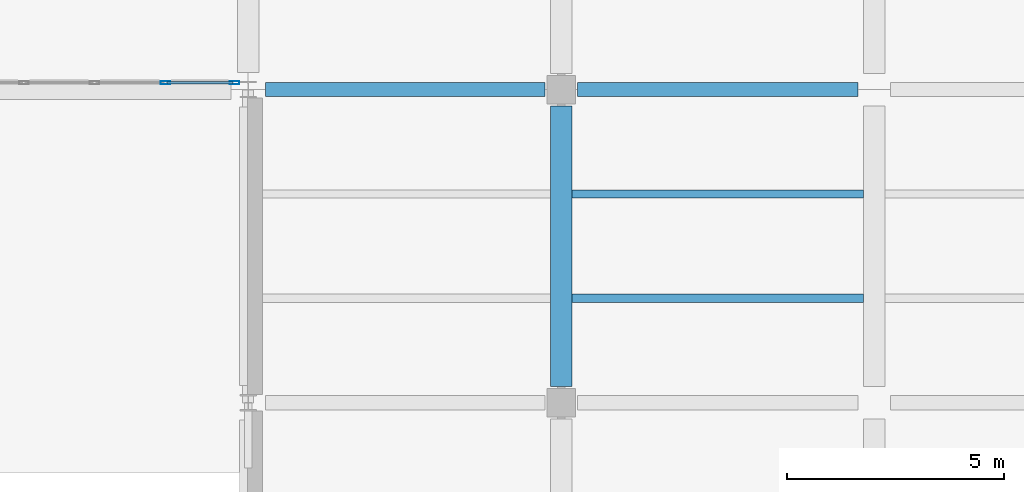
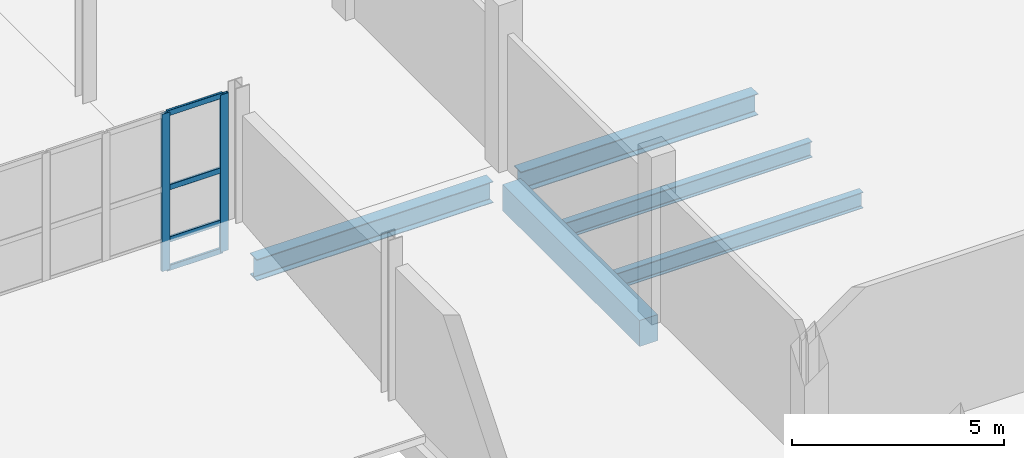
# One storey, part 32 of 127: 6 members, 5 beams, 1 element without a shape of its own.
"""IFC4 building model written with IfcOpenShell, lengths in metres."""

from ifc_helpers import new_model, si_unit, direction, frame, origin, origin_2d, place, context, subcontext, project, spatial, rectangle, hollow_rectangle, i_section, extrude, material, material_profile, profile_set, type_object, element, aggregate, save


model = new_model("IFC4")

# Units and contexts
model_context = context("Model", 3, precision=1e-05, world=origin(), true_north=direction((0.0, 1.0)))
body_context = subcontext(model_context, "Body", "Model", "MODEL_VIEW")
ifc_project = project(units=[si_unit("LENGTHUNIT", "METRE"), si_unit("AREAUNIT", "SQUARE_METRE"), si_unit("VOLUMEUNIT", "CUBIC_METRE"), si_unit("PLANEANGLEUNIT", "RADIAN"), si_unit("MASSUNIT", "GRAM", prefix="KILO")], contexts=[model_context])

# Site, building, storey
site_placement = place(None, origin())
site = spatial("IfcSite", under=ifc_project, at=site_placement, CompositionType="ELEMENT")
building_placement = place(site_placement, origin())
building = spatial("IfcBuilding", under=site, at=building_placement, Name="Kalmorath City Hall", CompositionType="ELEMENT")
storey_placement = place(building_placement, frame((0.0, 0.0, 5.39990234375)))
storey = spatial("IfcBuildingStorey", under=building, at=storey_placement, Name="L01", CompositionType="ELEMENT", Elevation=5.39990234375)

# Beam
ifc_material_1 = material(Name="Concrete C40/50", Category="concrete")
ifc_material_profile_1 = material_profile(ifc_material_1, rectangle(XDim=0.5, YDim=0.75, at=origin_2d()), Name="RC-BM-500X750")
ifc_profile_set_1 = profile_set([ifc_material_profile_1], Name="Concrete C40/50")
beam_type_1 = type_object("IfcBeamType", Name="Concrete floor beam 500x750", PredefinedType="BEAM", material=ifc_profile_set_1)
beam_1_placement = place(storey_placement, frame((122.39990234375, 14.77490234375, -0.698974609375), z_axis=(0.0, 1.0, 0.0), x_axis=(-1.0, 0.0, 0.0)))
element("IfcBeam", 1, at=beam_1_placement, inside=storey, type_object=beam_type_1, Name="L01 girder CB3 Y18/3-4", PredefinedType="BEAM", context=body_context, shape_type="SweptSolid", body=[
    extrude(rectangle(XDim=0.5, YDim=0.75, at=origin_2d()), origin(), (0.0, 0.0, 1.0), 6.4501953125),
])

# Curtain wall, members
ifc_material_2 = material(Name="Anodised aluminium and laminated glass", Category="aluminium")
curtain_wall_type = type_object("IfcCurtainWallType", Name="Unitised hurricane curtain wall 6508x4520 M1500", PredefinedType="NOTDEFINED", material=ifc_material_2)
curtain_wall_placement = place(storey_placement, origin())
curtain_wall = element("IfcCurtainWall", 2, at=curtain_wall_placement, inside=storey, type_object=curtain_wall_type, Name="L01 curtain wall CW-65X45M15 #67", PredefinedType="NOTDEFINED")
ifc_material_3 = material(Name="Anodised aluminium framing", Category="aluminium")
ifc_material_profile_2 = material_profile(ifc_material_3, hollow_rectangle(XDim=0.074951171875, YDim=0.219970703125, WallThickness=0.00390625, InnerFilletRadius=0.00390625, OuterFilletRadius=0.008056640625, at=origin_2d()), Name="ALU-MUL-220X75X4")
ifc_profile_set_2 = profile_set([ifc_material_profile_2], Name="Anodised aluminium framing")
member_type_1 = type_object("IfcMemberType", Name="Curtain-wall primary mullion 220x75", PredefinedType="MULLION", material=ifc_profile_set_2)
member_1_placement = place(storey_placement, frame((114.885498046875, 21.760009765625, 0.0), z_axis=(0.0, 0.0, 1.0), x_axis=(0.0, -1.0, 0.0)))
member_1 = element("IfcMember", 3, at=member_1_placement, type_object=member_type_1, Name="CW-65X45M15 mullion 1", PredefinedType="MULLION", context=body_context, shape_type="SweptSolid", body=[
    extrude(hollow_rectangle(XDim=0.074951171875, YDim=0.219970703125, WallThickness=0.00390625, InnerFilletRadius=0.00390625, OuterFilletRadius=0.008056640625, at=origin_2d()), origin(), (0.0, 0.0, 1.0), 4.52001953125),
])
member_2_placement = place(storey_placement, frame((113.2958984375, 21.760009765625, 0.0), z_axis=(0.0, 0.0, 1.0), x_axis=(0.0, -1.0, 0.0)))
member_2 = element("IfcMember", 4, at=member_2_placement, type_object=member_type_1, Name="CW-65X45M15 mullion 2", PredefinedType="MULLION", context=body_context, shape_type="SweptSolid", body=[
    extrude(hollow_rectangle(XDim=0.074951171875, YDim=0.219970703125, WallThickness=0.00390625, InnerFilletRadius=0.00390625, OuterFilletRadius=0.008056640625, at=origin_2d()), origin(), (0.0, 0.0, 1.0), 4.52001953125),
])
ifc_material_4 = material(Name="Anodised aluminium framing", Category="aluminium")
ifc_material_profile_3 = material_profile(ifc_material_4, hollow_rectangle(XDim=0.06494140625, YDim=0.159912109375, WallThickness=0.00390625, InnerFilletRadius=0.00390625, OuterFilletRadius=0.008056640625, at=origin_2d()), Name="ALU-TRN-160X65X4")
ifc_profile_set_3 = profile_set([ifc_material_profile_3], Name="Anodised aluminium framing")
member_type_2 = type_object("IfcMemberType", Name="Curtain-wall primary transom 160x65", PredefinedType="USERDEFINED", material=ifc_profile_set_3)
member_3_placement = place(storey_placement, frame((114.847900390625, 21.760009765625, 0.03271484375), z_axis=(-1.0, 0.0, 0.0), x_axis=(0.0, -1.0, 0.0)))
member_3 = element("IfcMember", 5, at=member_3_placement, type_object=member_type_2, Name="CW-65X45M15 transom 1.1", ObjectType="TRANSOM", PredefinedType="USERDEFINED", context=body_context, shape_type="SweptSolid", body=[
    extrude(hollow_rectangle(XDim=0.06494140625, YDim=0.159912109375, WallThickness=0.00390625, InnerFilletRadius=0.00390625, OuterFilletRadius=0.008056640625, at=origin_2d()), origin(), (0.0, 0.0, 1.0), 1.514404296875),
])
member_4_placement = place(storey_placement, frame((114.847900390625, 21.760009765625, 0.85009765625), z_axis=(-1.0, 0.0, 0.0), x_axis=(0.0, -1.0, 0.0)))
member_4 = element("IfcMember", 6, at=member_4_placement, type_object=member_type_2, Name="CW-65X45M15 transom 1.2", ObjectType="TRANSOM", PredefinedType="USERDEFINED", context=body_context, shape_type="SweptSolid", body=[
    extrude(hollow_rectangle(XDim=0.06494140625, YDim=0.159912109375, WallThickness=0.00390625, InnerFilletRadius=0.00390625, OuterFilletRadius=0.008056640625, at=origin_2d()), origin(), (0.0, 0.0, 1.0), 1.514404296875),
])
member_5_placement = place(storey_placement, frame((114.847900390625, 21.760009765625, 2.35009765625), z_axis=(-1.0, 0.0, 0.0), x_axis=(0.0, -1.0, 0.0)))
member_5 = element("IfcMember", 7, at=member_5_placement, type_object=member_type_2, Name="CW-65X45M15 transom 1.3", ObjectType="TRANSOM", PredefinedType="USERDEFINED", context=body_context, shape_type="SweptSolid", body=[
    extrude(hollow_rectangle(XDim=0.06494140625, YDim=0.159912109375, WallThickness=0.00390625, InnerFilletRadius=0.00390625, OuterFilletRadius=0.008056640625, at=origin_2d()), origin(), (0.0, 0.0, 1.0), 1.514404296875),
])
member_6_placement = place(storey_placement, frame((114.847900390625, 21.760009765625, 4.487548828125), z_axis=(-1.0, 0.0, 0.0), x_axis=(0.0, -1.0, 0.0)))
member_6 = element("IfcMember", 8, at=member_6_placement, type_object=member_type_2, Name="CW-65X45M15 transom 1.4", ObjectType="TRANSOM", PredefinedType="USERDEFINED", context=body_context, shape_type="SweptSolid", body=[
    extrude(hollow_rectangle(XDim=0.06494140625, YDim=0.159912109375, WallThickness=0.00390625, InnerFilletRadius=0.00390625, OuterFilletRadius=0.008056640625, at=origin_2d()), origin(), (0.0, 0.0, 1.0), 1.514404296875),
])
aggregate(curtain_wall, [member_1, member_2, member_3, member_4, member_5, member_6])

# Beams
ifc_material_5 = material(Name="Steel ASTM A992 Grade 50", Category="steel")
ifc_material_profile_4 = material_profile(ifc_material_5, i_section(OverallWidth=0.19091796875, OverallDepth=0.4599609375, WebThickness=0.010009765625, FlangeThickness=0.01611328125, FilletRadius=0.013916015625, at=origin_2d()), Name="W18X55")
ifc_profile_set_4 = profile_set([ifc_material_profile_4], Name="Steel ASTM A992 Grade 50")
beam_type_2 = type_object("IfcBeamType", Name="Steel composite joist W18X55", PredefinedType="JOIST", material=ifc_profile_set_4)
for number, where, z_axis, x_axis, name in (
    (9, (122.64990234375, 16.800048828125, -0.553955078125), (1.0, 0.0, 0.0), (0.0, 1.0, 0.0), "L01 joist SJ2 18.3.1"),
    (10, (122.64990234375, 19.199951171875, -0.553955078125), (1.0, 0.0, 0.0), (0.0, 1.0, 0.0), "L01 joist SJ2 18.3.2"),
):
    element("IfcBeam", number, at=place(storey_placement, frame(where, z_axis=z_axis, x_axis=x_axis)), inside=storey, type_object=beam_type_2, Name=name, PredefinedType="JOIST", context=body_context, shape_type="SweptSolid", body=[
        extrude(i_section(OverallWidth=0.19091796875, OverallDepth=0.4599609375, WebThickness=0.010009765625, FlangeThickness=0.01611328125, FilletRadius=0.013916015625, at=origin_2d()), origin(), (0.0, 0.0, 1.0), 6.7001953125),
    ])
ifc_material_6 = material(Name="Steel ASTM A992 Grade 50", Category="steel")
ifc_material_profile_5 = material_profile(ifc_material_6, i_section(OverallWidth=0.323974609375, OverallDepth=0.611083984375, WebThickness=0.0126953125, FlangeThickness=0.01904296875, FilletRadius=0.01611328125, at=origin_2d()), Name="W24X104")
ifc_profile_set_5 = profile_set([ifc_material_profile_5], Name="Steel ASTM A992 Grade 50")
beam_type_3 = type_object("IfcBeamType", Name="Steel floor girder W24X104", PredefinedType="BEAM", material=ifc_profile_set_5)
beam_2_placement = place(storey_placement, frame((115.60009765625, 21.60009765625, -0.62939453125), z_axis=(1.0, 0.0, 0.0), x_axis=(0.0, 1.0, 0.0)))
element("IfcBeam", 11, at=beam_2_placement, inside=storey, type_object=beam_type_3, Name="L01 girder SG7 X17-18/4", PredefinedType="BEAM", context=body_context, shape_type="SweptSolid", body=[
    extrude(i_section(OverallWidth=0.323974609375, OverallDepth=0.611083984375, WebThickness=0.0126953125, FlangeThickness=0.01904296875, FilletRadius=0.01611328125, at=origin_2d()), origin(), (0.0, 0.0, 1.0), 6.4248046875),
])
beam_3_placement = place(storey_placement, frame((122.77490234375, 21.60009765625, -0.62939453125), z_axis=(1.0, 0.0, 0.0), x_axis=(0.0, 1.0, 0.0)))
element("IfcBeam", 12, at=beam_3_placement, inside=storey, type_object=beam_type_3, Name="L01 girder SG7 X18-19/4", PredefinedType="BEAM", context=body_context, shape_type="SweptSolid", body=[
    extrude(i_section(OverallWidth=0.323974609375, OverallDepth=0.611083984375, WebThickness=0.0126953125, FlangeThickness=0.01904296875, FilletRadius=0.01611328125, at=origin_2d()), origin(), (0.0, 0.0, 1.0), 6.4501953125),
])

save(model, "model.ifc")
